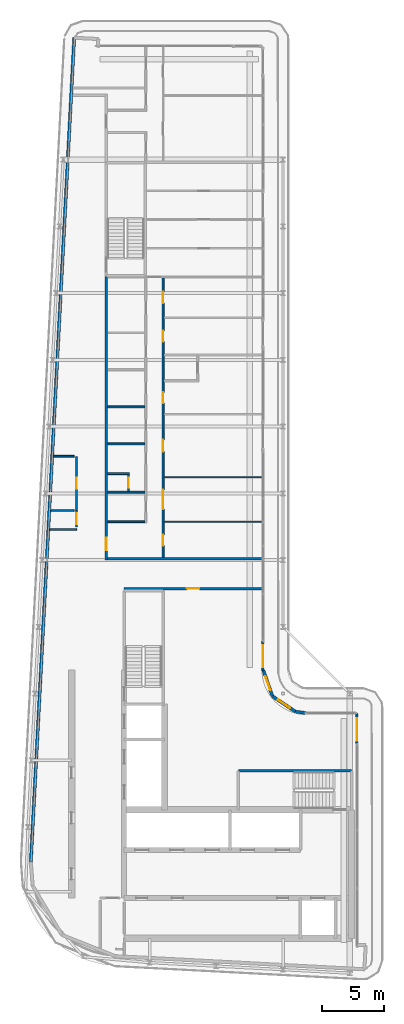
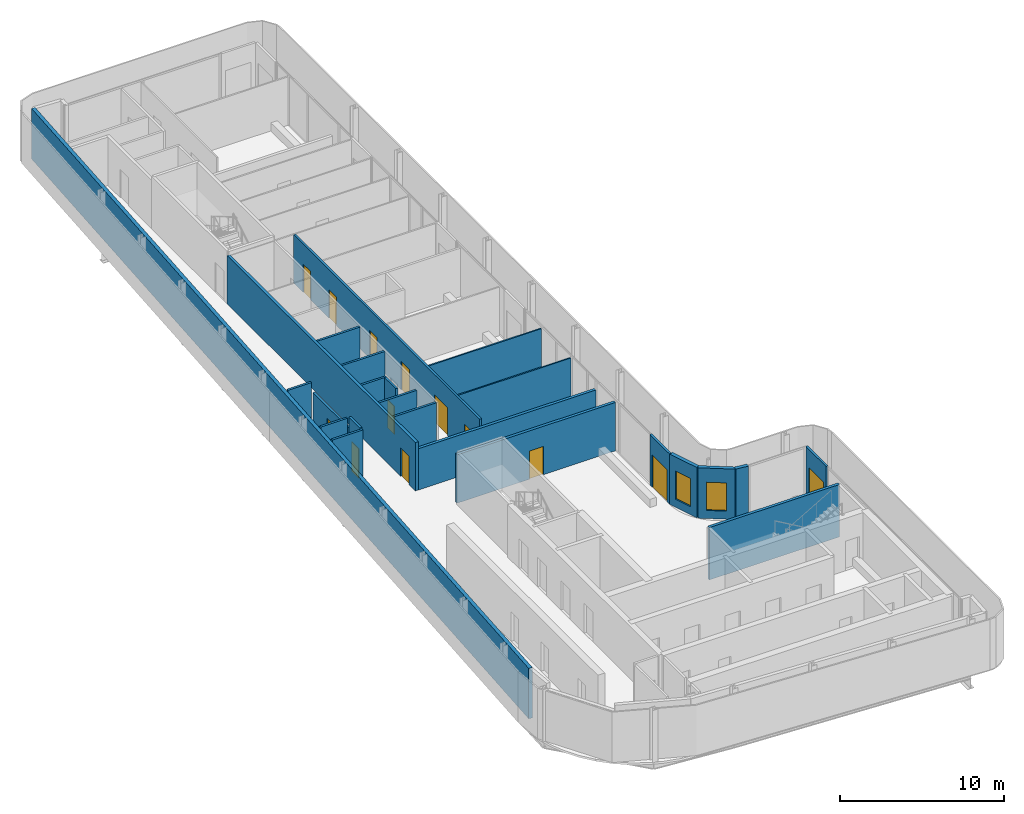
# One storey, part 10 of 18: 24 walls, 13 doors, 2 windows, 15 openings.
"""IFC4 building model written with IfcOpenShell, lengths in metres."""

from ifc_helpers import new_model, si_unit, direction, frame, frame_2d, origin, place, context, subcontext, project, spatial, rectangle, extrude, source, transform, mapped, material, layer, layer_set, type_object, element, fill, save


model = new_model("IFC4")

# Units and contexts
model_context = context("Model", 3, precision=1e-05, world=origin(), true_north=direction((0.0, 1.0)))
body_context = subcontext(model_context, "Body", "Model", "MODEL_VIEW")
ifc_project = project(units=[si_unit("LENGTHUNIT", "METRE"), si_unit("AREAUNIT", "SQUARE_METRE"), si_unit("VOLUMEUNIT", "CUBIC_METRE"), si_unit("PLANEANGLEUNIT", "RADIAN"), si_unit("MASSUNIT", "GRAM", prefix="KILO")], contexts=[model_context])

# Site, building, storey
site_placement = place(None, origin())
site = spatial("IfcSite", under=ifc_project, at=site_placement, CompositionType="ELEMENT")
building_placement = place(site_placement, origin())
building = spatial("IfcBuilding", under=site, at=building_placement, Name="Kheshtan School and Residences Tower", CompositionType="ELEMENT")
storey_placement = place(building_placement, frame((0.0, 0.0, 385.10009765625)))
storey = spatial("IfcBuildingStorey", under=building, at=storey_placement, Name="L91", CompositionType="ELEMENT", Elevation=385.10009765625)

# Wall, opening, door
ifc_material_1 = material(Name="Gypsum board on steel studs with fire boards", Category="steel")
ifc_layer_1 = layer(ifc_material_1, 0.199951171875)
ifc_layer_set_1 = layer_set([ifc_layer_1], Name="Corridor wall 200")
wall_type_1 = type_object("IfcWallType", Name="Corridor wall 200", PredefinedType="PARTITIONING", material=ifc_layer_set_1)
wall_1_placement = place(storey_placement, frame((33.300048828125, 56.39990234375, 0.0), z_axis=(0.0, 0.0, 1.0), x_axis=(0.0, 1.0, 0.0)))
wall_1 = element("IfcWall", 1, at=wall_1_placement, inside=storey, type_object=wall_type_1, Name="Partition L91-003", PredefinedType="PARTITIONING", context=body_context, shape_type="SweptSolid", body=[
    extrude(rectangle(XDim=22.9501953125, YDim=0.199951171875, at=frame_2d((11.47509765625, 0.0))), origin(), (0.0, 0.0, 1.0), 3.599853515625),
])
opening_1_placement = place(wall_1_placement, frame((0.800048828125, 0.0, 0.0)))
opening_1 = element("IfcOpeningElement", 2, at=opening_1_placement, cuts=wall_1, Name="Opening D90-008", PredefinedType="OPENING", context=body_context, shape_type="SweptSolid", body=[
    extrude(rectangle(XDim=1.0, YDim=2.10009765625, at=frame_2d((0.5, 1.050048828125))), frame((0.0, 0.10986328125, 0.0), z_axis=(0.0, -1.0, 0.0), x_axis=(1.0, 0.0, 0.0)), (0.0, 0.0, 1.0), 0.219970703125),
])
ifc_material_2 = material(Name="Steel-framed fire-resisting door leaf", Category="steel")
door_type_1 = type_object("IfcDoorType", Name="Fire door FD30S 1000 x 2100", OperationType="SINGLE_SWING_LEFT", PredefinedType="DOOR", material=ifc_material_2)
shared_shape_1 = source(origin(), body_context, "Body", "SweptSolid", [
    extrude(rectangle(XDim=1.0, YDim=2.10009765625, at=frame_2d((0.5, 1.050048828125))), frame((0.0, 0.02490234375, 0.0), z_axis=(0.0, -1.0, 0.0), x_axis=(1.0, 0.0, 0.0)), (0.0, 0.0, 1.0), 0.050048828125),
])
door_1_placement = place(opening_1_placement, origin())
door_1 = element("IfcDoor", 3, at=door_1_placement, inside=storey, type_object=door_type_1, Name="Door D90-008", OperationType="SINGLE_SWING_RIGHT", OverallHeight=2.10009765625, OverallWidth=1.0, PredefinedType="DOOR", context=body_context, shape_type="MappedRepresentation", body=[
    mapped(shared_shape_1, transform((0.0, 0.0, 0.0), x_axis=(1.0, 0.0, 0.0), y_axis=(0.0, 1.0, 0.0), z_axis=(0.0, 0.0, 1.0), scale=1.0)),
])
fill(opening_1, door_1)

# Wall
wall_2_placement = place(storey_placement, frame((33.39990234375, 56.5, 0.0), z_axis=(0.0, 0.0, 1.0), x_axis=(1.0, 0.0, 0.0)))
element("IfcWall", 4, at=wall_2_placement, inside=storey, type_object=wall_type_1, Name="Partition L91-005", PredefinedType="PARTITIONING", context=body_context, shape_type="SweptSolid", body=[
    extrude(rectangle(XDim=12.5, YDim=0.199951171875, at=frame_2d((6.25, 0.0))), origin(), (0.0, 0.0, 1.0), 3.072021484375),
])

# Wall, opening, door
wall_3_placement = place(storey_placement, frame((34.75, 54.10009765625, 0.0), z_axis=(0.0, 0.0, 1.0), x_axis=(1.0, 0.0, 0.0)))
wall_3 = element("IfcWall", 5, at=wall_3_placement, inside=storey, type_object=wall_type_1, Name="Partition L91-018", PredefinedType="PARTITIONING", context=body_context, shape_type="SweptSolid", body=[
    extrude(rectangle(XDim=11.14990234375, YDim=0.199951171875, at=frame_2d((5.574951171875, 0.0))), origin(), (0.0, 0.0, 1.0), 3.599853515625),
])
opening_2_placement = place(wall_3_placement, frame((5.074951171875, 0.0, 0.0)))
opening_2 = element("IfcOpeningElement", 6, at=opening_2_placement, cuts=wall_3, Name="Opening D90-026", PredefinedType="OPENING", context=body_context, shape_type="SweptSolid", body=[
    extrude(rectangle(XDim=1.0, YDim=2.10009765625, at=frame_2d((0.5, 1.050048828125))), frame((0.0, 0.10986328125, 0.0), z_axis=(0.0, -1.0, 0.0), x_axis=(1.0, 0.0, 0.0)), (0.0, 0.0, 1.0), 0.219970703125),
])
door_type_2 = type_object("IfcDoorType", Name="Fire door FD60 1000 x 2100", OperationType="SINGLE_SWING_LEFT", PredefinedType="DOOR", material=ifc_material_2)
shared_shape_2 = source(origin(), body_context, "Body", "SweptSolid", [
    extrude(rectangle(XDim=1.0, YDim=2.10009765625, at=frame_2d((0.5, 1.050048828125))), frame((0.0, 0.02490234375, 0.0), z_axis=(0.0, -1.0, 0.0), x_axis=(1.0, 0.0, 0.0)), (0.0, 0.0, 1.0), 0.050048828125),
])
door_2_placement = place(opening_2_placement, origin())
door_2 = element("IfcDoor", 7, at=door_2_placement, inside=storey, type_object=door_type_2, Name="Door D90-026", OperationType="SINGLE_SWING_RIGHT", OverallHeight=2.10009765625, OverallWidth=1.0, PredefinedType="DOOR", context=body_context, shape_type="MappedRepresentation", body=[
    mapped(shared_shape_2, transform((0.0, 0.0, 0.0), x_axis=(1.0, 0.0, 0.0), y_axis=(0.0, 1.0, 0.0), z_axis=(0.0, 0.0, 1.0), scale=1.0)),
])
fill(opening_2, door_2)

# Wall
ifc_material_3 = material(Name="Concrete C40/50 with ceramic cladding and mineral wool insulation", Category="concrete")
ifc_layer_2 = layer(ifc_material_3, 0.25)
ifc_layer_set_2 = layer_set([ifc_layer_2], Name="External wall 250 ceramic clad")
wall_type_2 = type_object("IfcWallType", Name="External wall 250 ceramic clad", PredefinedType="SOLIDWALL", material=ifc_layer_set_2)
wall_4_placement = place(storey_placement, frame((27.195068359375, 31.968994140625, 0.0), z_axis=(0.0, 0.0, 1.0), x_axis=(0.052554995867, 0.998618031286, 0.0)))
element("IfcWall", 8, at=wall_4_placement, inside=storey, type_object=wall_type_2, Name="External wall L91 4", PredefinedType="SOLIDWALL", context=body_context, shape_type="SweptSolid", body=[
    extrude(rectangle(XDim=66.787353515625, YDim=0.25, at=frame_2d((33.3935546875, 0.0))), origin(), (0.0, 0.0, 1.0), 3.75),
])

# Wall, opening, window
wall_5_placement = place(storey_placement, frame((46.01806640625, 47.470947265625, 0.0), z_axis=(0.0, 0.0, 1.0), x_axis=(0.328791208903, -0.944402637093, 0.0)))
wall_5 = element("IfcWall", 9, at=wall_5_placement, inside=storey, type_object=wall_type_2, Name="External wall L91 9", PredefinedType="SOLIDWALL", context=body_context, shape_type="SweptSolid", body=[
    extrude(rectangle(XDim=2.20458984375, YDim=0.25, at=frame_2d((1.102294921875, 0.0))), origin(), (0.0, 0.0, 1.0), 3.75),
])
opening_3_placement = place(wall_5_placement, frame((0.5029296875, 0.0, 0.60009765625)))
opening_3 = element("IfcOpeningElement", 10, at=opening_3_placement, cuts=wall_5, Name="Opening WN-E", PredefinedType="OPENING", context=body_context, shape_type="SweptSolid", body=[
    extrude(rectangle(XDim=1.199951171875, YDim=2.10009765625, at=frame_2d((0.60009765625, 1.050048828125))), frame((0.0, 0.135009765625, 0.0), z_axis=(0.0, -1.0, 0.0), x_axis=(1.0, 0.0, 0.0)), (0.0, 0.0, 1.0), 0.27001953125),
])
ifc_material_4 = material(Name="Clear low-e glass in thermally broken aluminium frame", Category="aluminium")
window_type = type_object("IfcWindowType", Name="Window WN-E", PartitioningType="SINGLE_PANEL", PredefinedType="WINDOW", material=ifc_material_4)
shared_shape_3 = source(origin(), body_context, "Body", "SweptSolid", [
    extrude(rectangle(XDim=1.199951171875, YDim=2.10009765625, at=frame_2d((0.60009765625, 1.050048828125))), frame((0.0, 0.030029296875, 0.0), z_axis=(0.0, -1.0, 0.0), x_axis=(1.0, 0.0, 0.0)), (0.0, 0.0, 1.0), 0.06005859375),
])
window_1_placement = place(opening_3_placement, origin())
window_1 = element("IfcWindow", 11, at=window_1_placement, inside=storey, type_object=window_type, Name="Window L91 9", OverallHeight=2.10009765625, OverallWidth=1.199951171875, PartitioningType="SINGLE_PANEL", PredefinedType="WINDOW", context=body_context, shape_type="MappedRepresentation", body=[
    mapped(shared_shape_3, transform((0.0, 0.0, 0.0), x_axis=(1.0, 0.0, 0.0), y_axis=(0.0, 1.0, 0.0), z_axis=(0.0, 0.0, 1.0), scale=1.0)),
])
fill(opening_3, window_1)

wall_6_placement = place(storey_placement, frame((46.742919921875, 45.388916015625, 0.0), z_axis=(0.0, 0.0, 1.0), x_axis=(0.831449265529, -0.555600682912, 0.0)))
wall_6 = element("IfcWall", 12, at=wall_6_placement, inside=storey, type_object=wall_type_2, Name="External wall L91 10", PredefinedType="SOLIDWALL", context=body_context, shape_type="SweptSolid", body=[
    extrude(rectangle(XDim=2.25146484375, YDim=0.25, at=frame_2d((1.125732421875, 0.0))), origin(), (0.0, 0.0, 1.0), 3.75),
])
opening_4_placement = place(wall_6_placement, frame((0.52490234375, 0.0, 0.60009765625)))
opening_4 = element("IfcOpeningElement", 13, at=opening_4_placement, cuts=wall_6, Name="Opening WN-E", PredefinedType="OPENING", context=body_context, shape_type="SweptSolid", body=[
    extrude(rectangle(XDim=1.199951171875, YDim=2.10009765625, at=frame_2d((0.60009765625, 1.050048828125))), frame((0.0, 0.135009765625, 0.0), z_axis=(0.0, -1.0, 0.0), x_axis=(1.0, 0.0, 0.0)), (0.0, 0.0, 1.0), 0.27001953125),
])
window_2_placement = place(opening_4_placement, origin())
window_2 = element("IfcWindow", 14, at=window_2_placement, inside=storey, type_object=window_type, Name="Window L91 10", OverallHeight=2.10009765625, OverallWidth=1.199951171875, PartitioningType="SINGLE_PANEL", PredefinedType="WINDOW", context=body_context, shape_type="MappedRepresentation", body=[
    mapped(shared_shape_3, transform((0.0, 0.0, 0.0), x_axis=(1.0, 0.0, 0.0), y_axis=(0.0, 1.0, 0.0), z_axis=(0.0, 0.0, 1.0), scale=1.0)),
])
fill(opening_4, window_2)

# Wall
wall_7_placement = place(storey_placement, frame((48.614990234375, 44.137939453125, 0.0), z_axis=(0.0, 0.0, 1.0), x_axis=(0.990741504246, -0.135761819977, 0.0)))
element("IfcWall", 15, at=wall_7_placement, inside=storey, type_object=wall_type_2, Name="External wall L91 11", PredefinedType="SOLIDWALL", context=body_context, shape_type="SweptSolid", body=[
    extrude(rectangle(XDim=0.83984375, YDim=0.25, at=frame_2d((0.419921875, 0.0))), origin(), (0.0, 0.0, 1.0), 3.75),
])

# Wall, opening, door
ifc_material_5 = material(Name="Aluminium frame wall with insulated infill", Category="aluminium")
ifc_layer_3 = layer(ifc_material_5, 0.14990234375)
ifc_layer_set_3 = layer_set([ifc_layer_3], Name="Glazing frame wall 150")
wall_type_3 = type_object("IfcWallType", Name="Glazing frame wall 150", PredefinedType="SOLIDWALL", material=ifc_layer_set_3)
wall_8_placement = place(storey_placement, frame((45.97509765625, 49.830078125, 0.0), z_axis=(0.0, 0.0, 1.0), x_axis=(0.0, -1.0, 0.0)))
wall_8 = element("IfcWall", 16, at=wall_8_placement, inside=storey, type_object=wall_type_3, Name="Balcony door wall L91 8.5", PredefinedType="SOLIDWALL", context=body_context, shape_type="SweptSolid", body=[
    extrude(rectangle(XDim=2.400146484375, YDim=0.14990234375, at=frame_2d((1.2001953125, 0.0))), origin(), (0.0, 0.0, 1.0), 3.75),
])
opening_5_placement = place(wall_8_placement, frame((0.300048828125, 0.0, 0.0)))
opening_5 = element("IfcOpeningElement", 17, at=opening_5_placement, cuts=wall_8, Name="Opening BD", PredefinedType="OPENING", context=body_context, shape_type="SweptSolid", body=[
    extrude(rectangle(XDim=1.800048828125, YDim=2.39990234375, at=frame_2d((0.89990234375, 1.199951171875))), frame((0.0, 0.0849609375, 0.0), z_axis=(0.0, -1.0, 0.0), x_axis=(1.0, 0.0, 0.0)), (0.0, 0.0, 1.0), 0.169921875),
])
door_type_3 = type_object("IfcDoorType", Name="Balcony sliding door", OperationType="SLIDING_TO_LEFT", PredefinedType="DOOR", material=ifc_material_4)
shared_shape_4 = source(origin(), body_context, "Body", "SweptSolid", [
    extrude(rectangle(XDim=1.800048828125, YDim=2.39990234375, at=frame_2d((0.89990234375, 1.199951171875))), frame((0.0, 0.02490234375, 0.0), z_axis=(0.0, -1.0, 0.0), x_axis=(1.0, 0.0, 0.0)), (0.0, 0.0, 1.0), 0.050048828125),
])
door_3_placement = place(opening_5_placement, origin())
door_3 = element("IfcDoor", 18, at=door_3_placement, inside=storey, type_object=door_type_3, Name="Balcony door L91 8.5", OperationType="SLIDING_TO_LEFT", OverallHeight=2.39990234375, OverallWidth=1.800048828125, PredefinedType="DOOR", context=body_context, shape_type="MappedRepresentation", body=[
    mapped(shared_shape_4, transform((0.0, 0.0, 0.0), x_axis=(1.0, 0.0, 0.0), y_axis=(0.0, 1.0, 0.0), z_axis=(0.0, 0.0, 1.0), scale=1.0)),
])
fill(opening_5, door_3)

wall_9_placement = place(storey_placement, frame((53.574951171875, 43.970947265625, 0.0), z_axis=(0.0, 0.0, 1.0), x_axis=(0.0, -1.0, 0.0)))
wall_9 = element("IfcWall", 19, at=wall_9_placement, inside=storey, type_object=wall_type_3, Name="Balcony door wall L91 13.1", PredefinedType="SOLIDWALL", context=body_context, shape_type="SweptSolid", body=[
    extrude(rectangle(XDim=2.470947265625, YDim=0.14990234375, at=frame_2d((1.2353515625, 0.0))), origin(), (0.0, 0.0, 1.0), 3.75),
])
opening_6_placement = place(wall_9_placement, frame((0.37109375, 0.0, 0.0)))
opening_6 = element("IfcOpeningElement", 20, at=opening_6_placement, cuts=wall_9, Name="Opening BD", PredefinedType="OPENING", context=body_context, shape_type="SweptSolid", body=[
    extrude(rectangle(XDim=1.800048828125, YDim=2.39990234375, at=frame_2d((0.89990234375, 1.199951171875))), frame((0.0, 0.0849609375, 0.0), z_axis=(0.0, -1.0, 0.0), x_axis=(1.0, 0.0, 0.0)), (0.0, 0.0, 1.0), 0.169921875),
])
door_4_placement = place(opening_6_placement, origin())
door_4 = element("IfcDoor", 21, at=door_4_placement, inside=storey, type_object=door_type_3, Name="Balcony door L91 13.1", OperationType="SLIDING_TO_LEFT", OverallHeight=2.39990234375, OverallWidth=1.800048828125, PredefinedType="DOOR", context=body_context, shape_type="MappedRepresentation", body=[
    mapped(shared_shape_4, transform((0.0, 0.0, 0.0), x_axis=(1.0, 0.0, 0.0), y_axis=(0.0, 1.0, 0.0), z_axis=(0.0, 0.0, 1.0), scale=1.0)),
])
fill(opening_6, door_4)

# Walls
ifc_material_6 = material(Name="Gypsum board on steel studs", Category="steel")
ifc_layer_4 = layer(ifc_material_6, 0.10009765625)
ifc_layer_set_4 = layer_set([ifc_layer_4], Name="Gypsum partition 100")
wall_type_4 = type_object("IfcWallType", Name="Gypsum partition 100", PredefinedType="PARTITIONING", material=ifc_layer_set_4)
for number, where, z_axis, x_axis, name in (
    (22, (37.97509765625, 59.5, 0.0), (0.0, 0.0, 1.0), (1.0, 0.0, 0.0), "Partition L91-030"),
    (23, (37.97509765625, 63.10009765625, 0.0), (0.0, 0.0, 1.0), (1.0, 0.0, 0.0), "Partition L91-031"),
):
    element("IfcWall", number, at=place(storey_placement, frame(where, z_axis=z_axis, x_axis=x_axis)), inside=storey, type_object=wall_type_4, Name=name, PredefinedType="PARTITIONING", context=body_context, shape_type="SweptSolid", body=[
        extrude(rectangle(XDim=7.9248046875, YDim=0.10009765625, at=frame_2d((3.96240234375, 0.0))), origin(), (0.0, 0.0, 1.0), 3.599853515625),
    ])
ifc_material_7 = material(Name="Fire-board shaft wall system")
ifc_layer_5 = layer(ifc_material_7, 0.14990234375)
ifc_layer_set_5 = layer_set([ifc_layer_5], Name="Service room wall 150")
wall_type_5 = type_object("IfcWallType", Name="Service room wall 150", PredefinedType="PARTITIONING", material=ifc_layer_set_5)
wall_10_placement = place(storey_placement, frame((28.738037109375, 58.8720703125, 0.0), z_axis=(0.0, 0.0, 1.0), x_axis=(1.0, 0.0, 0.0)))
element("IfcWall", 24, at=wall_10_placement, inside=storey, type_object=wall_type_5, Name="Service room wall", PredefinedType="PARTITIONING", context=body_context, shape_type="SweptSolid", body=[
    extrude(rectangle(XDim=2.161865234375, YDim=0.14990234375, at=frame_2d((1.0810546875, 0.0))), origin(), (0.0, 0.0, 1.0), 3.89990234375),
])

# Wall, opening, door
wall_11_placement = place(storey_placement, frame((30.89990234375, 59.06689453125, 0.0), z_axis=(0.0, 0.0, 1.0), x_axis=(0.0, 1.0, 0.0)))
wall_11 = element("IfcWall", 25, at=wall_11_placement, inside=storey, type_object=wall_type_5, Name="Service room wall", PredefinedType="PARTITIONING", context=body_context, shape_type="SweptSolid", body=[
    extrude(rectangle(XDim=1.34716796875, YDim=0.14990234375, at=frame_2d((0.673583984375, 0.0))), origin(), (0.0, 0.0, 1.0), 3.89990234375),
])
opening_7_placement = place(wall_11_placement, frame((0.22607421875, 0.0, 0.0)))
opening_7 = element("IfcOpeningElement", 26, at=opening_7_placement, cuts=wall_11, Name="Opening SR90", PredefinedType="OPENING", context=body_context, shape_type="SweptSolid", body=[
    extrude(rectangle(XDim=0.89990234375, YDim=2.199951171875, at=frame_2d((0.449951171875, 1.10009765625))), frame((0.0, 0.0849609375, 0.0), z_axis=(0.0, -1.0, 0.0), x_axis=(1.0, 0.0, 0.0)), (0.0, 0.0, 1.0), 0.169921875),
])
ifc_material_8 = material(Name="Steel door leaf, galvanised", Category="steel")
door_type_4 = type_object("IfcDoorType", Name="Service room door 900 steel 90 min", OperationType="SINGLE_SWING_LEFT", PredefinedType="DOOR", material=ifc_material_8)
shared_shape_5 = source(origin(), body_context, "Body", "SweptSolid", [
    extrude(rectangle(XDim=0.89990234375, YDim=2.199951171875, at=frame_2d((0.449951171875, 1.10009765625))), frame((0.0, 0.02490234375, 0.0), z_axis=(0.0, -1.0, 0.0), x_axis=(1.0, 0.0, 0.0)), (0.0, 0.0, 1.0), 0.050048828125),
])
door_5_placement = place(opening_7_placement, origin())
door_5 = element("IfcDoor", 27, at=door_5_placement, inside=storey, type_object=door_type_4, Name="Service room door", OperationType="SINGLE_SWING_LEFT", OverallHeight=2.199951171875, OverallWidth=0.89990234375, PredefinedType="DOOR", context=body_context, shape_type="MappedRepresentation", body=[
    mapped(shared_shape_5, transform((0.0, 0.0, 0.0), x_axis=(1.0, 0.0, 0.0), y_axis=(0.0, 1.0, 0.0), z_axis=(0.0, 0.0, 1.0), scale=1.0)),
])
fill(opening_7, door_5)

# Wall
wall_12_placement = place(storey_placement, frame((28.820068359375, 60.4140625, 0.0), z_axis=(0.0, 0.0, 1.0), x_axis=(1.0, 0.0, 0.0)))
element("IfcWall", 28, at=wall_12_placement, inside=storey, type_object=wall_type_5, Name="Service room wall", PredefinedType="PARTITIONING", context=body_context, shape_type="SweptSolid", body=[
    extrude(rectangle(XDim=1.885009765625, YDim=0.14990234375, at=frame_2d((0.9423828125, 0.0))), origin(), (0.0, 0.0, 1.0), 3.89990234375),
])

# Wall, opening, door
wall_13_placement = place(storey_placement, frame((30.89990234375, 60.4140625, 0.0), z_axis=(0.0, 0.0, 1.0), x_axis=(0.0, 1.0, 0.0)))
wall_13 = element("IfcWall", 29, at=wall_13_placement, inside=storey, type_object=wall_type_5, Name="Service room wall", PredefinedType="PARTITIONING", context=body_context, shape_type="SweptSolid", body=[
    extrude(rectangle(XDim=4.385986328125, YDim=0.14990234375, at=frame_2d((2.19287109375, 0.0))), origin(), (0.0, 0.0, 1.0), 3.072021484375),
])
opening_8_placement = place(wall_13_placement, frame((1.742919921875, 0.0, 0.0)))
opening_8 = element("IfcOpeningElement", 30, at=opening_8_placement, cuts=wall_13, Name="Opening SR90", PredefinedType="OPENING", context=body_context, shape_type="SweptSolid", body=[
    extrude(rectangle(XDim=0.89990234375, YDim=2.199951171875, at=frame_2d((0.449951171875, 1.10009765625))), frame((0.0, 0.0849609375, 0.0), z_axis=(0.0, -1.0, 0.0), x_axis=(1.0, 0.0, 0.0)), (0.0, 0.0, 1.0), 0.169921875),
])
door_6_placement = place(opening_8_placement, origin())
door_6 = element("IfcDoor", 31, at=door_6_placement, inside=storey, type_object=door_type_4, Name="Service room door", OperationType="SINGLE_SWING_LEFT", OverallHeight=2.199951171875, OverallWidth=0.89990234375, PredefinedType="DOOR", context=body_context, shape_type="MappedRepresentation", body=[
    mapped(shared_shape_5, transform((0.0, 0.0, 0.0), x_axis=(1.0, 0.0, 0.0), y_axis=(0.0, 1.0, 0.0), z_axis=(0.0, 0.0, 1.0), scale=1.0)),
])
fill(opening_8, door_6)

# Walls
wall_14_placement = place(storey_placement, frame((29.050048828125, 64.800048828125, 0.0), z_axis=(0.0, 0.0, 1.0), x_axis=(1.0, 0.0, 0.0)))
element("IfcWall", 32, at=wall_14_placement, inside=storey, type_object=wall_type_5, Name="Service room wall", PredefinedType="PARTITIONING", context=body_context, shape_type="SweptSolid", body=[
    extrude(rectangle(XDim=1.655029296875, YDim=0.14990234375, at=frame_2d((0.82763671875, 0.0))), origin(), (0.0, 0.0, 1.0), 3.89990234375),
])
ifc_material_9 = material(Name="Concrete C40/50", Category="concrete")
ifc_layer_6 = layer(ifc_material_9, 0.199951171875)
ifc_layer_set_6 = layer_set([ifc_layer_6], Name="Stair enclosure wall 200 Concrete C40/50")
wall_type_6 = type_object("IfcWallType", Name="Stair enclosure wall 200 Concrete C40/50", PredefinedType="SHEAR", material=ifc_layer_set_6)
wall_15_placement = place(storey_placement, frame((43.989990234375, 39.35009765625, 0.0), z_axis=(0.0, 0.0, 1.0), x_axis=(1.0, 0.0, 0.0)))
element("IfcWall", 33, at=wall_15_placement, inside=storey, type_object=wall_type_6, Name="Stair enclosure wall ST1", PredefinedType="SHEAR", context=body_context, shape_type="SweptSolid", body=[
    extrude(rectangle(XDim=9.159912109375, YDim=0.199951171875, at=frame_2d((4.580078125, 0.0))), origin(), (0.0, 0.0, 1.0), 3.89990234375),
])
ifc_material_10 = material(Name="Moisture-resistant gypsum board on steel studs", Category="steel")
ifc_layer_7 = layer(ifc_material_10, 0.14990234375)
ifc_layer_set_7 = layer_set([ifc_layer_7], Name="Wet-room partition 150")
wall_type_7 = type_object("IfcWallType", Name="Wet-room partition 150", PredefinedType="PARTITIONING", material=ifc_layer_set_7)
wall_16_placement = place(storey_placement, frame((33.39990234375, 59.5, 0.0), z_axis=(0.0, 0.0, 1.0), x_axis=(1.0, 0.0, 0.0)))
element("IfcWall", 34, at=wall_16_placement, inside=storey, type_object=wall_type_7, Name="Partition L91-006", PredefinedType="PARTITIONING", context=body_context, shape_type="SweptSolid", body=[
    extrude(rectangle(XDim=3.025146484375, YDim=0.14990234375, at=frame_2d((1.5126953125, 0.0))), origin(), (0.0, 0.0, 1.0), 3.599853515625),
])
wall_17_placement = place(storey_placement, frame((33.39990234375, 61.89990234375, 0.0), z_axis=(0.0, 0.0, 1.0), x_axis=(1.0, 0.0, 0.0)))
element("IfcWall", 35, at=wall_17_placement, inside=storey, type_object=wall_type_7, Name="Partition L91-007", PredefinedType="PARTITIONING", context=body_context, shape_type="SweptSolid", body=[
    extrude(rectangle(XDim=3.025146484375, YDim=0.14990234375, at=frame_2d((1.5126953125, 0.0))), origin(), (0.0, 0.0, 1.0), 3.072021484375),
])
wall_18_placement = place(storey_placement, frame((33.39990234375, 63.39990234375, 0.0), z_axis=(0.0, 0.0, 1.0), x_axis=(1.0, 0.0, 0.0)))
element("IfcWall", 36, at=wall_18_placement, inside=storey, type_object=wall_type_7, Name="Partition L91-008", PredefinedType="PARTITIONING", context=body_context, shape_type="SweptSolid", body=[
    extrude(rectangle(XDim=1.775146484375, YDim=0.14990234375, at=frame_2d((0.8876953125, 0.0))), origin(), (0.0, 0.0, 1.0), 3.599853515625),
])
for number, where, z_axis, x_axis, name in (
    (37, (33.39990234375, 65.800048828125, 0.0), (0.0, 0.0, 1.0), (1.0, 0.0, 0.0), "Partition L91-009"),
    (38, (33.39990234375, 68.800048828125, 0.0), (0.0, 0.0, 1.0), (1.0, 0.0, 0.0), "Partition L91-010"),
):
    element("IfcWall", number, at=place(storey_placement, frame(where, z_axis=z_axis, x_axis=x_axis)), inside=storey, type_object=wall_type_7, Name=name, PredefinedType="PARTITIONING", context=body_context, shape_type="SweptSolid", body=[
        extrude(rectangle(XDim=3.025146484375, YDim=0.14990234375, at=frame_2d((1.5126953125, 0.0))), origin(), (0.0, 0.0, 1.0), 3.599853515625),
    ])

# Wall, opening, door
wall_19_placement = place(storey_placement, frame((35.10009765625, 61.97509765625, 0.0), z_axis=(0.0, 0.0, 1.0), x_axis=(0.0, 1.0, 0.0)))
wall_19 = element("IfcWall", 39, at=wall_19_placement, inside=storey, type_object=wall_type_7, Name="Partition L91-019", PredefinedType="PARTITIONING", context=body_context, shape_type="SweptSolid", body=[
    extrude(rectangle(XDim=1.349853515625, YDim=0.14990234375, at=frame_2d((0.6748046875, 0.0))), origin(), (0.0, 0.0, 1.0), 3.599853515625),
])
opening_9_placement = place(wall_19_placement, frame((0.27490234375, 0.0, 0.0)))
opening_9 = element("IfcOpeningElement", 40, at=opening_9_placement, cuts=wall_19, Name="Opening D90-012", PredefinedType="OPENING", context=body_context, shape_type="SweptSolid", body=[
    extrude(rectangle(XDim=0.800048828125, YDim=2.10009765625, at=frame_2d((0.39990234375, 1.050048828125))), frame((0.0, 0.0849609375, 0.0), z_axis=(0.0, -1.0, 0.0), x_axis=(1.0, 0.0, 0.0)), (0.0, 0.0, 1.0), 0.169921875),
])
ifc_material_11 = material(Name="Veneered timber door leaf", Category="wood")
door_type_5 = type_object("IfcDoorType", Name="Door 800 x 2100", OperationType="SINGLE_SWING_LEFT", PredefinedType="DOOR", material=ifc_material_11)
shared_shape_6 = source(origin(), body_context, "Body", "SweptSolid", [
    extrude(rectangle(XDim=0.800048828125, YDim=2.10009765625, at=frame_2d((0.39990234375, 1.050048828125))), frame((0.0, 0.02490234375, 0.0), z_axis=(0.0, -1.0, 0.0), x_axis=(1.0, 0.0, 0.0)), (0.0, 0.0, 1.0), 0.050048828125),
])
door_7_placement = place(opening_9_placement, origin())
door_7 = element("IfcDoor", 41, at=door_7_placement, inside=storey, type_object=door_type_5, Name="Door D90-012", OperationType="SINGLE_SWING_LEFT", OverallHeight=2.10009765625, OverallWidth=0.800048828125, PredefinedType="DOOR", context=body_context, shape_type="MappedRepresentation", body=[
    mapped(shared_shape_6, transform((0.0, 0.0, 0.0), x_axis=(1.0, 0.0, 0.0), y_axis=(0.0, 1.0, 0.0), z_axis=(0.0, 0.0, 1.0), scale=1.0)),
])
fill(opening_9, door_7)

# Wall, openings, doors
wall_20_placement = place(storey_placement, frame((37.89990234375, 56.60009765625, 0.0), z_axis=(0.0, 0.0, 1.0), x_axis=(0.0, 1.0, 0.0)))
wall_20 = element("IfcWall", 42, at=wall_20_placement, inside=storey, type_object=wall_type_7, Name="Partition L91-027", PredefinedType="PARTITIONING", context=body_context, shape_type="SweptSolid", body=[
    extrude(rectangle(XDim=22.64990234375, YDim=0.14990234375, at=frame_2d((11.324951171875, 0.0))), origin(), (0.0, 0.0, 1.0), 3.599853515625),
])
opening_10_placement = place(wall_20_placement, frame((0.949951171875, 0.0, 0.0)))
opening_10 = element("IfcOpeningElement", 43, at=opening_10_placement, cuts=wall_20, Name="Opening D90-003", PredefinedType="OPENING", context=body_context, shape_type="SweptSolid", body=[
    extrude(rectangle(XDim=0.89990234375, YDim=2.10009765625, at=frame_2d((0.449951171875, 1.050048828125))), frame((0.0, 0.0849609375, 0.0), z_axis=(0.0, -1.0, 0.0), x_axis=(1.0, 0.0, 0.0)), (0.0, 0.0, 1.0), 0.169921875),
])
opening_11_placement = place(wall_20_placement, frame((17.449951171875, 0.0, 0.0)))
opening_11 = element("IfcOpeningElement", 44, at=opening_11_placement, cuts=wall_20, Name="Opening D90-004", PredefinedType="OPENING", context=body_context, shape_type="SweptSolid", body=[
    extrude(rectangle(XDim=0.89990234375, YDim=2.10009765625, at=frame_2d((0.449951171875, 1.050048828125))), frame((0.0, 0.0849609375, 0.0), z_axis=(0.0, -1.0, 0.0), x_axis=(1.0, 0.0, 0.0)), (0.0, 0.0, 1.0), 0.169921875),
])
opening_12_placement = place(wall_20_placement, frame((20.60009765625, 0.0, 0.0)))
opening_12 = element("IfcOpeningElement", 45, at=opening_12_placement, cuts=wall_20, Name="Opening D90-005", PredefinedType="OPENING", context=body_context, shape_type="SweptSolid", body=[
    extrude(rectangle(XDim=0.89990234375, YDim=2.10009765625, at=frame_2d((0.449951171875, 1.050048828125))), frame((0.0, 0.0849609375, 0.0), z_axis=(0.0, -1.0, 0.0), x_axis=(1.0, 0.0, 0.0)), (0.0, 0.0, 1.0), 0.169921875),
])
opening_13_placement = place(wall_20_placement, frame((8.550048828125, 0.0, 0.0)))
opening_13 = element("IfcOpeningElement", 46, at=opening_13_placement, cuts=wall_20, Name="Opening D90-010", PredefinedType="OPENING", context=body_context, shape_type="SweptSolid", body=[
    extrude(rectangle(XDim=1.0, YDim=2.10009765625, at=frame_2d((0.5, 1.050048828125))), frame((0.0, 0.0849609375, 0.0), z_axis=(0.0, -1.0, 0.0), x_axis=(1.0, 0.0, 0.0)), (0.0, 0.0, 1.0), 0.169921875),
])
opening_14_placement = place(wall_20_placement, frame((3.89990234375, 0.0, 0.0)))
opening_14 = element("IfcOpeningElement", 47, at=opening_14_placement, cuts=wall_20, Name="Opening D90-013", PredefinedType="OPENING", context=body_context, shape_type="SweptSolid", body=[
    extrude(rectangle(XDim=1.60009765625, YDim=2.10009765625, at=frame_2d((0.800048828125, 1.050048828125))), frame((0.0, 0.0849609375, 0.0), z_axis=(0.0, -1.0, 0.0), x_axis=(1.0, 0.0, 0.0)), (0.0, 0.0, 1.0), 0.169921875),
])
opening_15_placement = place(wall_20_placement, frame((12.5, 0.0, 0.0)))
opening_15 = element("IfcOpeningElement", 48, at=opening_15_placement, cuts=wall_20, Name="Opening D90-014", PredefinedType="OPENING", context=body_context, shape_type="SweptSolid", body=[
    extrude(rectangle(XDim=0.89990234375, YDim=2.10009765625, at=frame_2d((0.449951171875, 1.050048828125))), frame((0.0, 0.0849609375, 0.0), z_axis=(0.0, -1.0, 0.0), x_axis=(1.0, 0.0, 0.0)), (0.0, 0.0, 1.0), 0.169921875),
])
door_type_6 = type_object("IfcDoorType", Name="Door 1000 x 2100", OperationType="SINGLE_SWING_LEFT", PredefinedType="DOOR", material=ifc_material_11)
shared_shape_7 = source(origin(), body_context, "Body", "SweptSolid", [
    extrude(rectangle(XDim=1.0, YDim=2.10009765625, at=frame_2d((0.5, 1.050048828125))), frame((0.0, 0.02490234375, 0.0), z_axis=(0.0, -1.0, 0.0), x_axis=(1.0, 0.0, 0.0)), (0.0, 0.0, 1.0), 0.050048828125),
])
door_8_placement = place(opening_13_placement, origin())
door_8 = element("IfcDoor", 49, at=door_8_placement, inside=storey, type_object=door_type_6, Name="Door D90-010", OperationType="SINGLE_SWING_LEFT", OverallHeight=2.10009765625, OverallWidth=1.0, PredefinedType="DOOR", context=body_context, shape_type="MappedRepresentation", body=[
    mapped(shared_shape_7, transform((0.0, 0.0, 0.0), x_axis=(1.0, 0.0, 0.0), y_axis=(0.0, 1.0, 0.0), z_axis=(0.0, 0.0, 1.0), scale=1.0)),
])
fill(opening_13, door_8)
door_type_7 = type_object("IfcDoorType", Name="Door 900 x 2100", OperationType="SINGLE_SWING_LEFT", PredefinedType="DOOR", material=ifc_material_11)
shared_shape_8 = source(origin(), body_context, "Body", "SweptSolid", [
    extrude(rectangle(XDim=0.89990234375, YDim=2.10009765625, at=frame_2d((0.449951171875, 1.050048828125))), frame((0.0, 0.02490234375, 0.0), z_axis=(0.0, -1.0, 0.0), x_axis=(1.0, 0.0, 0.0)), (0.0, 0.0, 1.0), 0.050048828125),
])
door_9_placement = place(opening_10_placement, origin())
door_9 = element("IfcDoor", 50, at=door_9_placement, inside=storey, type_object=door_type_7, Name="Door D90-003", OperationType="SINGLE_SWING_LEFT", OverallHeight=2.10009765625, OverallWidth=0.89990234375, PredefinedType="DOOR", context=body_context, shape_type="MappedRepresentation", body=[
    mapped(shared_shape_8, transform((0.0, 0.0, 0.0), x_axis=(1.0, 0.0, 0.0), y_axis=(0.0, 1.0, 0.0), z_axis=(0.0, 0.0, 1.0), scale=1.0)),
])
fill(opening_10, door_9)
door_10_placement = place(opening_11_placement, origin())
door_10 = element("IfcDoor", 51, at=door_10_placement, inside=storey, type_object=door_type_7, Name="Door D90-004", OperationType="SINGLE_SWING_LEFT", OverallHeight=2.10009765625, OverallWidth=0.89990234375, PredefinedType="DOOR", context=body_context, shape_type="MappedRepresentation", body=[
    mapped(shared_shape_8, transform((0.0, 0.0, 0.0), x_axis=(1.0, 0.0, 0.0), y_axis=(0.0, 1.0, 0.0), z_axis=(0.0, 0.0, 1.0), scale=1.0)),
])
fill(opening_11, door_10)
door_11_placement = place(opening_12_placement, origin())
door_11 = element("IfcDoor", 52, at=door_11_placement, inside=storey, type_object=door_type_7, Name="Door D90-005", OperationType="SINGLE_SWING_LEFT", OverallHeight=2.10009765625, OverallWidth=0.89990234375, PredefinedType="DOOR", context=body_context, shape_type="MappedRepresentation", body=[
    mapped(shared_shape_8, transform((0.0, 0.0, 0.0), x_axis=(1.0, 0.0, 0.0), y_axis=(0.0, 1.0, 0.0), z_axis=(0.0, 0.0, 1.0), scale=1.0)),
])
fill(opening_12, door_11)
door_12_placement = place(opening_15_placement, origin())
door_12 = element("IfcDoor", 53, at=door_12_placement, inside=storey, type_object=door_type_7, Name="Door D90-014", OperationType="SINGLE_SWING_RIGHT", OverallHeight=2.10009765625, OverallWidth=0.89990234375, PredefinedType="DOOR", context=body_context, shape_type="MappedRepresentation", body=[
    mapped(shared_shape_8, transform((0.0, 0.0, 0.0), x_axis=(1.0, 0.0, 0.0), y_axis=(0.0, 1.0, 0.0), z_axis=(0.0, 0.0, 1.0), scale=1.0)),
])
fill(opening_15, door_12)
door_type_8 = type_object("IfcDoorType", Name="Double door 1600 x 2100", OperationType="DOUBLE_DOOR_SINGLE_SWING", PredefinedType="DOOR", material=ifc_material_11)
shared_shape_9 = source(origin(), body_context, "Body", "SweptSolid", [
    extrude(rectangle(XDim=1.60009765625, YDim=2.10009765625, at=frame_2d((0.800048828125, 1.050048828125))), frame((0.0, 0.02490234375, 0.0), z_axis=(0.0, -1.0, 0.0), x_axis=(1.0, 0.0, 0.0)), (0.0, 0.0, 1.0), 0.050048828125),
])
door_13_placement = place(opening_14_placement, origin())
door_13 = element("IfcDoor", 54, at=door_13_placement, inside=storey, type_object=door_type_8, Name="Door D90-013", OperationType="DOUBLE_DOOR_SINGLE_SWING", OverallHeight=2.10009765625, OverallWidth=1.60009765625, PredefinedType="DOOR", context=body_context, shape_type="MappedRepresentation", body=[
    mapped(shared_shape_9, transform((0.0, 0.0, 0.0), x_axis=(1.0, 0.0, 0.0), y_axis=(0.0, 1.0, 0.0), z_axis=(0.0, 0.0, 1.0), scale=1.0)),
])
fill(opening_14, door_13)

save(model, "model.ifc")
